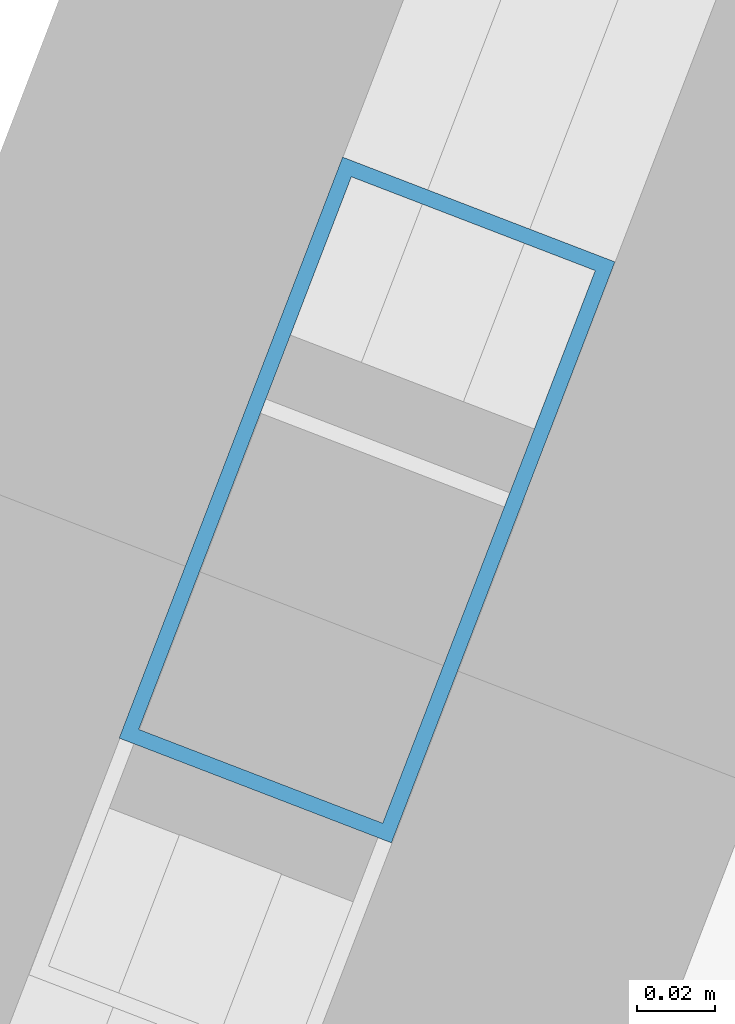
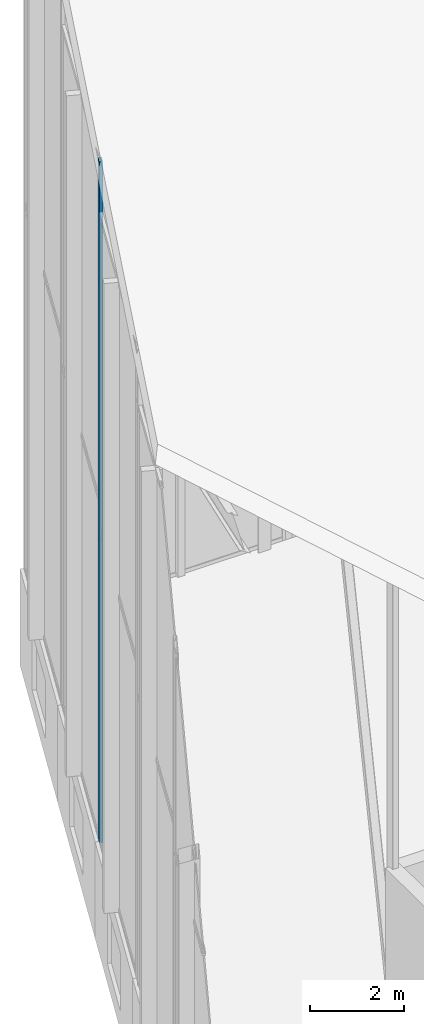
# One storey, part 27 of 74: 1 member, 1 element without a shape of its own.
"""IFC4 building model written with IfcOpenShell, lengths in metres."""

import ifcopenshell
import ifcopenshell.guid

model = None  # the IFC model being written
_history = None  # IfcOwnerHistory: only IFC2X3 demands one
_inside = {}  # id of a spatial element -> (the spatial element, [elements in it])
_under = {}  # id of a project, library or spatial element -> (it, [spatial elements below it])
_declared = {}  # id of a project -> (the project, [libraries it declares])
_typed = {}  # id of a type object -> (the type object, [elements of that type])
_made_of = {}  # id of a material, layer set ... -> (it, [elements and type objects made of it])


def new_model(schema):
    """Start an empty IFC model of exactly this schema.

    Asked for "IFC4X3", IfcOpenShell would pick the latest addendum, in which some entities
    have other attributes; the version numbers below select the first issue.
    IFC2X3 requires an IfcOwnerHistory on every rooted entity: one is made here for all.
    """
    global model, _history
    if schema == "IFC4X3":
        model = ifcopenshell.file(schema_version=(4, 3, 0, 0))
    else:
        model = ifcopenshell.file(schema=schema)
    _inside.clear()
    _under.clear()
    _declared.clear()
    _typed.clear()
    _made_of.clear()
    _history = None
    if model.schema == "IFC2X3":
        org = make("IfcOrganization", Name="unknown")
        user = make(
            "IfcPersonAndOrganization",
            ThePerson=make("IfcPerson", FamilyName="unknown"),
            TheOrganization=org,
        )
        app = make(
            "IfcApplication",
            ApplicationDeveloper=org,
            Version="unknown",
            ApplicationFullName="unknown",
            ApplicationIdentifier="unknown",
        )
        _history = make(
            "IfcOwnerHistory",
            OwningUser=user,
            OwningApplication=app,
            ChangeAction="ADDED",
            CreationDate=0,
        )
    return model


def make(cls, **values):
    """One entity of the class cls with the attributes given. An attribute that is None is left unset."""
    return model.create_entity(
        cls, **{name: value for name, value in values.items() if value is not None}
    )


def rooted(cls, **values):
    """An entity with a GlobalId (a new one), such as an element, a storey or a relation."""
    return make(cls, GlobalId=ifcopenshell.guid.new(), OwnerHistory=_history, **values)


def si_unit(unit_type, name, prefix=None):
    """IfcSIUnit, for example si_unit("LENGTHUNIT", "METRE", prefix="MILLI")."""
    return make("IfcSIUnit", UnitType=unit_type, Prefix=prefix, Name=name)


def assignment(units):
    """IfcUnitAssignment: the units of a project."""
    return None if units is None else make("IfcUnitAssignment", Units=units)


def point(xyz):
    """IfcCartesianPoint."""
    return None if xyz is None else make("IfcCartesianPoint", Coordinates=xyz)


def direction(xyz):
    """IfcDirection."""
    return None if xyz is None else make("IfcDirection", DirectionRatios=xyz)


def frame(location, z_axis=None, x_axis=None):
    """IfcAxis2Placement3D, a coordinate frame: its origin and axes. An axis left out is left unset."""
    return make(
        "IfcAxis2Placement3D",
        Location=point(location),
        Axis=direction(z_axis),
        RefDirection=direction(x_axis),
    )


def frame_2d(location, x_axis=None):
    """IfcAxis2Placement2D, a coordinate frame in the plane: its origin and x axis."""
    return make(
        "IfcAxis2Placement2D", Location=point(location), RefDirection=direction(x_axis)
    )


def origin():
    """The frame at (0, 0, 0) with its axes left unset."""
    return frame((0.0, 0.0, 0.0))


def origin_2d():
    """The frame at (0, 0) in the plane with its x axis left unset."""
    return frame_2d((0.0, 0.0))


def place(relative_to, where):
    """IfcLocalPlacement: puts the frame where relative to a parent placement (None: the world)."""
    return make(
        "IfcLocalPlacement", PlacementRelTo=relative_to, RelativePlacement=where
    )


def context(
    kind, dimensions, precision=None, world=None, true_north=None, identifier=None
):
    """IfcGeometricRepresentationContext, for example the 3D "Model" context."""
    return make(
        "IfcGeometricRepresentationContext",
        ContextIdentifier=identifier,
        ContextType=kind,
        CoordinateSpaceDimension=dimensions,
        Precision=precision,
        WorldCoordinateSystem=world,
        TrueNorth=true_north,
    )


def subcontext(parent, identifier, kind, view, scale=None):
    """IfcGeometricRepresentationSubContext, for example "Body" below "Model"."""
    return make(
        "IfcGeometricRepresentationSubContext",
        ContextIdentifier=identifier,
        ContextType=kind,
        ParentContext=parent,
        TargetScale=scale,
        TargetView=view,
    )


def project(units=None, contexts=None):
    """IfcProject with its units and contexts."""
    return rooted(
        "IfcProject",
        Name="project",
        RepresentationContexts=contexts,
        UnitsInContext=assignment(units),
    )


def spatial(cls, under=None, at=None, **own):
    """A site, building, storey or space (cls), placed at a placement, below another one or the project."""
    s = rooted(cls, ObjectPlacement=at, **own)
    if under is not None:
        _under.setdefault(under.id(), (under, []))[1].append(s)
    return s


def profile(cls, at=None, kind="AREA", **sizes):
    """A parametric profile (cls). Its sizes go by their IFC names, for example OverallWidth=200.0."""
    return make(cls, ProfileType=kind, Position=at, **sizes)


def hollow_rectangle(**sizes):
    """IfcRectangleHollowProfileDef."""
    return profile("IfcRectangleHollowProfileDef", **sizes)


def extrude(swept, where, along, depth):
    """IfcExtrudedAreaSolid: the profile swept, set in the frame where, extruded along a direction by depth."""
    return make(
        "IfcExtrudedAreaSolid",
        SweptArea=swept,
        Position=where,
        ExtrudedDirection=direction(along),
        Depth=depth,
    )


def shape(context_of_items, identifier, shape_type, items):
    """IfcShapeRepresentation: the items that make up one representation, for example the "Body"."""
    return make(
        "IfcShapeRepresentation",
        ContextOfItems=context_of_items,
        RepresentationIdentifier=identifier,
        RepresentationType=shape_type,
        Items=items,
    )


def material(Name=None, Category=None):
    """IfcMaterial."""
    return make("IfcMaterial", Name=Name, Category=Category)


def layer(
    of_material, thickness, ventilated=None, Name=None, Category=None, Priority=None
):
    """IfcMaterialLayer: one layer of a wall or slab, of a material (None: an air gap)."""
    return make(
        "IfcMaterialLayer",
        Material=of_material,
        LayerThickness=thickness,
        IsVentilated=ventilated,
        Name=Name,
        Category=Category,
        Priority=Priority,
    )


def layer_set(layers, Name=None):
    """IfcMaterialLayerSet."""
    return make("IfcMaterialLayerSet", MaterialLayers=layers, LayerSetName=Name)


def material_profile(
    of_material, cross_section, Name=None, Category=None, Priority=None
):
    """IfcMaterialProfile: a cross section and its material."""
    return make(
        "IfcMaterialProfile",
        Name=Name,
        Material=of_material,
        Profile=cross_section,
        Priority=Priority,
        Category=Category,
    )


def profile_set(profiles, Name=None, composite=None):
    """IfcMaterialProfileSet."""
    return make(
        "IfcMaterialProfileSet",
        Name=Name,
        MaterialProfiles=profiles,
        CompositeProfile=composite,
    )


def made_of(thing, what):
    """Note that an element or type object is made of a material, layer set ...; save() writes the relation."""
    if what is not None:
        _made_of.setdefault(what.id(), (what, []))[1].append(thing)
    return thing


def type_object(cls, material=None, **own):
    """A type object (cls), such as IfcWallType, which elements share."""
    return made_of(rooted(cls, **own), material)


def element(
    cls,
    number,
    at=None,
    inside=None,
    cuts=None,
    type_object=None,
    material=None,
    context=None,
    identifier="Body",
    shape_type=None,
    held_by="IfcProductDefinitionShape",
    body=None,
    shapes=None,
    **own,
):
    """One element of the class cls, such as IfcWall. Its Tag is "e" and its number.

    at: its placement. inside: the storey or other place that contains it. cuts: it is an
    opening in that element (IfcRelVoidsElement). A single representation is given by context,
    identifier, shape_type and body (its items); several are given by shapes. held_by: the class
    of the entity that holds the representations. save() writes the other relations.
    """
    e = rooted(cls, Tag="e%d" % number, ObjectPlacement=at, **own)
    if body is not None:
        shapes = [shape(context, identifier, shape_type, body)]
    if shapes is not None:
        e.Representation = make(held_by, Representations=shapes)
    if inside is not None:
        _inside.setdefault(inside.id(), (inside, []))[1].append(e)
    if cuts is not None:
        rooted(
            "IfcRelVoidsElement", RelatingBuildingElement=cuts, RelatedOpeningElement=e
        )
    if type_object is not None:
        _typed.setdefault(type_object.id(), (type_object, []))[1].append(e)
    return made_of(e, material)


def aggregate(whole, parts):
    """IfcRelAggregates: a whole, such as a stair, and the parts it consists of."""
    return rooted("IfcRelAggregates", RelatingObject=whole, RelatedObjects=parts)


def save(model, path):
    """Write the relations noted so far, then the file.

    IfcRelAggregates (storeys below a building ...), IfcRelContainedInSpatialStructure (elements
    in a storey), IfcRelDefinesByType, IfcRelAssociatesMaterial and IfcRelDeclares: one each for
    every whole, place, type object, material and project.
    """
    for whole, parts in _under.values():
        aggregate(whole, parts)
    for where, things in _inside.values():
        rooted(
            "IfcRelContainedInSpatialStructure",
            RelatedElements=things,
            RelatingStructure=where,
        )
    for kind, things in _typed.values():
        rooted("IfcRelDefinesByType", RelatedObjects=things, RelatingType=kind)
    for what, things in _made_of.values():
        rooted("IfcRelAssociatesMaterial", RelatedObjects=things, RelatingMaterial=what)
    for by, libraries in _declared.values():
        rooted("IfcRelDeclares", RelatingContext=by, RelatedDefinitions=libraries)
    model.write(path)


model = new_model("IFC4")

# Units and contexts
model_context = context("Model", 3, precision=1e-05, world=origin(), true_north=direction((0.0, 1.0)))
body_context = subcontext(model_context, "Body", "Model", "MODEL_VIEW")
ifc_project = project(units=[si_unit("LENGTHUNIT", "METRE"), si_unit("AREAUNIT", "SQUARE_METRE"), si_unit("VOLUMEUNIT", "CUBIC_METRE"), si_unit("PLANEANGLEUNIT", "RADIAN"), si_unit("MASSUNIT", "GRAM", prefix="KILO")], contexts=[model_context])

# Site, building, storey
site_placement = place(None, origin())
site = spatial("IfcSite", under=ifc_project, at=site_placement, CompositionType="ELEMENT")
building_placement = place(site_placement, origin())
building = spatial("IfcBuilding", under=site, at=building_placement, Name="Keshet Zoharim Tower", CompositionType="ELEMENT")
storey_placement = place(building_placement, frame((0.0, 0.0, 320.0)))
storey = spatial("IfcBuildingStorey", under=building, at=storey_placement, Name="RF", CompositionType="ELEMENT", Elevation=320.0)

# Curtain wall, member
ifc_material = material(Name="Aluminium 6063-T6", Category="aluminium")
ifc_layer = layer(ifc_material, 0.260009765625)
ifc_layer_set = layer_set([ifc_layer], Name="Aluminium 6063-T6")
curtain_wall_type = type_object("IfcCurtainWallType", Name="CW-SYS-06", PredefinedType="NOTDEFINED", material=ifc_layer_set)
curtain_wall_placement = place(storey_placement, origin())
curtain_wall = element("IfcCurtainWall", 1, at=curtain_wall_placement, inside=storey, type_object=curtain_wall_type, Name="Slanted Crown Curtain Wall 07", PredefinedType="NOTDEFINED")
ifc_material_profile = material_profile(ifc_material, hollow_rectangle(XDim=0.074951171875, YDim=0.159912109375, WallThickness=0.00390625, at=origin_2d()), Name="MUL-75x160")
ifc_profile_set = profile_set([ifc_material_profile], Name="Aluminium 6063-T6")
member_type = type_object("IfcMemberType", Name="CWM-M15", PredefinedType="MULLION", material=ifc_profile_set)
member_placement = place(storey_placement, frame((10.8486328125, 43.1064453125, 2.5), z_axis=(0.0, 0.0, 1.0), x_axis=(-0.933345606206, 0.358979079302, 0.0)))
member = element("IfcMember", 2, at=member_placement, type_object=member_type, Name="CW-06 mullion 1", PredefinedType="MULLION", context=body_context, shape_type="SweptSolid", body=[
    extrude(hollow_rectangle(XDim=0.074951171875, YDim=0.159912109375, WallThickness=0.00390625, at=origin_2d()), origin(), (0.0, 0.0, 1.0), 17.634033203125),
])
aggregate(curtain_wall, [member])

save(model, "model.ifc")
